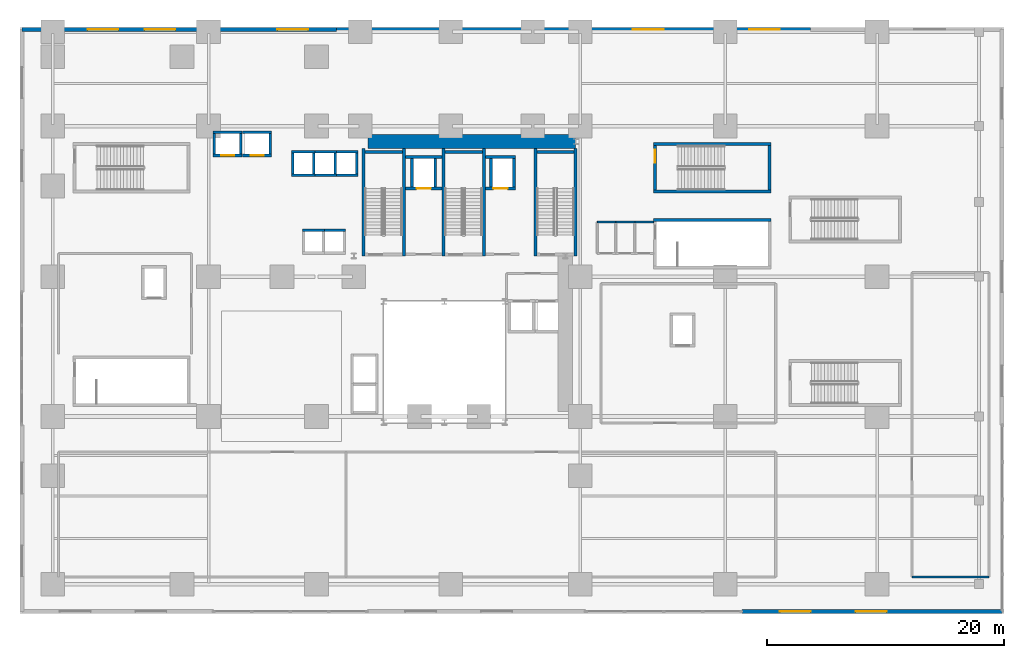
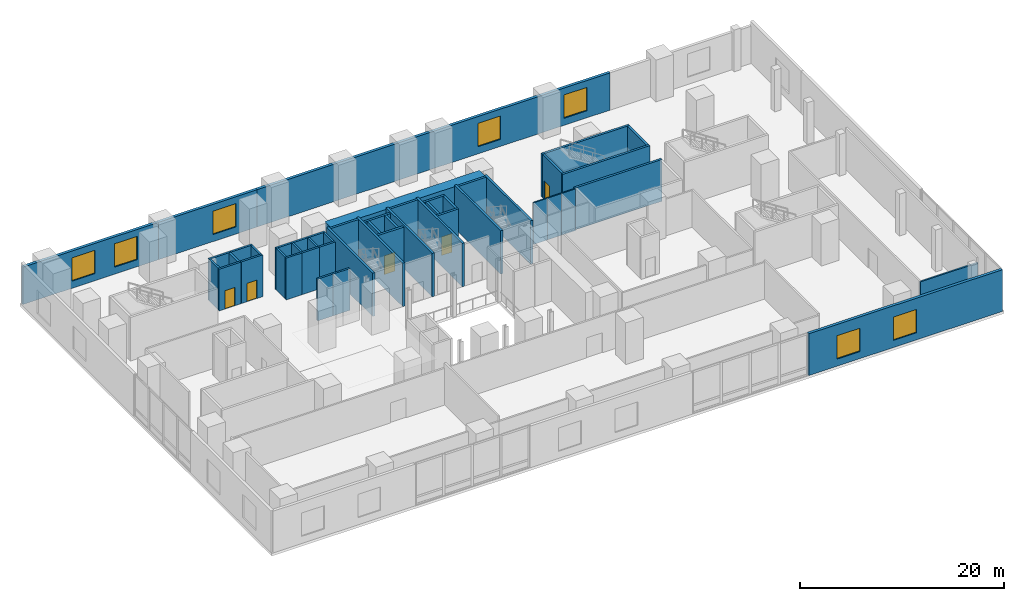
# One storey, part 10 of 15: 50 walls, 7 windows, 5 doors, 12 openings.
"""IFC4 building model written with IfcOpenShell, lengths in metres."""

from ifc_helpers import new_model, si_unit, direction, frame, frame_2d, origin, place, context, subcontext, project, spatial, rectangle, extrude, source, transform, mapped, material, layer, layer_set, type_object, element, fill, save


model = new_model("IFC4")

# Units and contexts
model_context = context("Model", 3, precision=1e-05, world=origin(), true_north=direction((0.0, 1.0)))
body_context = subcontext(model_context, "Body", "Model", "MODEL_VIEW")
ifc_project = project(units=[si_unit("LENGTHUNIT", "METRE"), si_unit("AREAUNIT", "SQUARE_METRE"), si_unit("VOLUMEUNIT", "CUBIC_METRE"), si_unit("PLANEANGLEUNIT", "RADIAN"), si_unit("MASSUNIT", "GRAM", prefix="KILO")], contexts=[model_context])

# Site, building, storey
site_placement = place(None, origin())
site = spatial("IfcSite", under=ifc_project, at=site_placement, CompositionType="ELEMENT")
building_placement = place(site_placement, origin())
building = spatial("IfcBuilding", under=site, at=building_placement, Name="Vardaveli Station Tower", CompositionType="ELEMENT")
storey_placement = place(building_placement, frame((0.0, 0.0, 6.0)))
storey = spatial("IfcBuildingStorey", under=building, at=storey_placement, Name="L02", CompositionType="ELEMENT", Elevation=6.0)

# Wall
ifc_material_1 = material(Name="Concrete C70/85", Category="concrete")
ifc_layer_1 = layer(ifc_material_1, 1.199951171875, Name="Concrete C70/85")
ifc_layer_set_1 = layer_set([ifc_layer_1], Name="Concrete C70/85")
wall_type_1 = type_object("IfcWallType", Name="WAL-CORE-1200", PredefinedType="SHEAR", material=ifc_layer_set_1)
shared_shape_1 = source(origin(), body_context, "Body", "SweptSolid", [
    extrude(rectangle(XDim=17.52001953125, YDim=1.199951171875, at=frame_2d((8.760009765625, 0.0))), origin(), (0.0, 0.0, 1.0), 5.0),
])
wall_1_placement = place(storey_placement, frame((29.85009765625, 40.300048828125, 0.0), z_axis=(0.0, 0.0, 1.0), x_axis=(1.0, 0.0, 0.0)))
element("IfcWall", 1, at=wall_1_placement, inside=storey, type_object=wall_type_1, Name="SW-L02-NORTH", PredefinedType="SHEAR", context=body_context, shape_type="MappedRepresentation", body=[
    mapped(shared_shape_1, transform((0.0, 0.0, 0.0), scale=1.0)),
])

# Wall, openings, windows
ifc_material_2 = material(Name="Precast concrete C45/55", Category="concrete")
ifc_layer_2 = layer(ifc_material_2, 0.320068359375, Name="Precast concrete C45/55")
ifc_layer_set_2 = layer_set([ifc_layer_2], Name="Precast concrete C45/55")
wall_type_2 = type_object("IfcWallType", Name="WAL-EXT-STONE-320", PredefinedType="SOLIDWALL", material=ifc_layer_set_2)
shared_shape_2 = source(origin(), body_context, "Body", "SweptSolid", [
    extrude(rectangle(XDim=21.9501953125, YDim=0.320068359375, at=frame_2d((10.97509765625, 0.0))), origin(), (0.0, 0.0, 1.0), 5.0),
])
wall_2_placement = place(storey_placement, frame((61.39990234375, 0.64990234375, 0.0), z_axis=(0.0, 0.0, 1.0), x_axis=(1.0, 0.0, 0.0)))
wall_2 = element("IfcWall", 2, at=wall_2_placement, inside=storey, type_object=wall_type_2, Name="EW-L02-S5", PredefinedType="SOLIDWALL", context=body_context, shape_type="MappedRepresentation", body=[
    mapped(shared_shape_2, transform((0.0, 0.0, 0.0), scale=1.0)),
])
shared_shape_3 = source(origin(), body_context, "Body", "SweptSolid", [
    extrude(rectangle(XDim=2.60009765625, YDim=2.800048828125, at=frame_2d((1.300048828125, 1.39990234375))), frame((0.0, 0.169921875, 0.0), z_axis=(0.0, -1.0, 0.0), x_axis=(1.0, 0.0, 0.0)), (0.0, 0.0, 1.0), 0.340087890625),
])
opening_1_placement = place(wall_2_placement, frame((3.199951171875, 0.0, 0.85009765625)))
opening_1 = element("IfcOpeningElement", 3, at=opening_1_placement, cuts=wall_2, Name="Opening W-02", PredefinedType="OPENING", context=body_context, shape_type="MappedRepresentation", body=[
    mapped(shared_shape_3, transform((0.0, 0.0, 0.0), scale=1.0)),
])
opening_2_placement = place(wall_2_placement, frame((9.60009765625, 0.0, 0.85009765625)))
opening_2 = element("IfcOpeningElement", 4, at=opening_2_placement, cuts=wall_2, Name="Opening W-02", PredefinedType="OPENING", context=body_context, shape_type="MappedRepresentation", body=[
    mapped(shared_shape_3, transform((0.0, 0.0, 0.0), scale=1.0)),
])
ifc_material_3 = material(Name="Low-E solar-control glass", Category="glass")
window_type = type_object("IfcWindowType", Name="WIN-POD-2600x2800", PartitioningType="SINGLE_PANEL", PredefinedType="WINDOW", material=ifc_material_3)
shared_shape_4 = source(origin(), body_context, "Body", "SweptSolid", [
    extrude(rectangle(XDim=2.60009765625, YDim=2.800048828125, at=frame_2d((1.300048828125, 1.39990234375))), frame((0.0, 0.030029296875, 0.0), z_axis=(0.0, -1.0, 0.0), x_axis=(1.0, 0.0, 0.0)), (0.0, 0.0, 1.0), 0.06005859375),
])
window_1_placement = place(opening_1_placement, origin())
window_1 = element("IfcWindow", 5, at=window_1_placement, inside=storey, type_object=window_type, Name="WN-L02-S5A", OverallHeight=2.800048828125, OverallWidth=2.60009765625, PartitioningType="SINGLE_PANEL", PredefinedType="WINDOW", context=body_context, shape_type="MappedRepresentation", body=[
    mapped(shared_shape_4, transform((0.0, 0.0, 0.0), scale=1.0)),
])
fill(opening_1, window_1)
window_2_placement = place(opening_2_placement, origin())
window_2 = element("IfcWindow", 6, at=window_2_placement, inside=storey, type_object=window_type, Name="WN-L02-S5B", OverallHeight=2.800048828125, OverallWidth=2.60009765625, PartitioningType="SINGLE_PANEL", PredefinedType="WINDOW", context=body_context, shape_type="MappedRepresentation", body=[
    mapped(shared_shape_4, transform((0.0, 0.0, 0.0), scale=1.0)),
])
fill(opening_2, window_2)

shared_shape_5 = source(origin(), body_context, "Body", "SweptSolid", [
    extrude(rectangle(XDim=15.35009765625, YDim=0.320068359375, at=frame_2d((7.675048828125, 0.0))), origin(), (0.0, 0.0, 1.0), 4.470947265625),
])
wall_3_placement = place(storey_placement, frame((16.0, 49.75, 0.0), z_axis=(0.0, 0.0, 1.0), x_axis=(-1.0, 0.0, 0.0)))
wall_3 = element("IfcWall", 7, at=wall_3_placement, inside=storey, type_object=wall_type_2, Name="EW-L02-N1", PredefinedType="SOLIDWALL", context=body_context, shape_type="MappedRepresentation", body=[
    mapped(shared_shape_5, transform((0.0, 0.0, 0.0), scale=1.0)),
])
opening_3_placement = place(wall_3_placement, frame((2.39990234375, 0.0, 0.85009765625)))
opening_3 = element("IfcOpeningElement", 8, at=opening_3_placement, cuts=wall_3, Name="Opening W-02", PredefinedType="OPENING", context=body_context, shape_type="MappedRepresentation", body=[
    mapped(shared_shape_3, transform((0.0, 0.0, 0.0), scale=1.0)),
])
opening_4_placement = place(wall_3_placement, frame((7.199951171875, 0.0, 0.85009765625)))
opening_4 = element("IfcOpeningElement", 9, at=opening_4_placement, cuts=wall_3, Name="Opening W-02", PredefinedType="OPENING", context=body_context, shape_type="MappedRepresentation", body=[
    mapped(shared_shape_3, transform((0.0, 0.0, 0.0), scale=1.0)),
])
window_3_placement = place(opening_3_placement, origin())
window_3 = element("IfcWindow", 10, at=window_3_placement, inside=storey, type_object=window_type, Name="WN-L02-N1A", OverallHeight=2.800048828125, OverallWidth=2.60009765625, PartitioningType="SINGLE_PANEL", PredefinedType="WINDOW", context=body_context, shape_type="MappedRepresentation", body=[
    mapped(shared_shape_4, transform((0.0, 0.0, 0.0), scale=1.0)),
])
fill(opening_3, window_3)
window_4_placement = place(opening_4_placement, origin())
window_4 = element("IfcWindow", 11, at=window_4_placement, inside=storey, type_object=window_type, Name="WN-L02-N1B", OverallHeight=2.800048828125, OverallWidth=2.60009765625, PartitioningType="SINGLE_PANEL", PredefinedType="WINDOW", context=body_context, shape_type="MappedRepresentation", body=[
    mapped(shared_shape_4, transform((0.0, 0.0, 0.0), scale=1.0)),
])
fill(opening_4, window_4)

# Wall, opening, window
shared_shape_6 = source(origin(), body_context, "Body", "SweptSolid", [
    extrude(rectangle(XDim=11.199951171875, YDim=0.320068359375, at=frame_2d((5.60009765625, 0.0))), origin(), (0.0, 0.0, 1.0), 4.470947265625),
])
wall_4_placement = place(storey_placement, frame((27.199951171875, 49.75, 0.0), z_axis=(0.0, 0.0, 1.0), x_axis=(-1.0, 0.0, 0.0)))
wall_4 = element("IfcWall", 12, at=wall_4_placement, inside=storey, type_object=wall_type_2, Name="EW-L02-N2", PredefinedType="SOLIDWALL", context=body_context, shape_type="MappedRepresentation", body=[
    mapped(shared_shape_6, transform((0.0, 0.0, 0.0), scale=1.0)),
])
opening_5_placement = place(wall_4_placement, frame((2.39990234375, 0.0, 0.85009765625)))
opening_5 = element("IfcOpeningElement", 13, at=opening_5_placement, cuts=wall_4, Name="Opening W-02", PredefinedType="OPENING", context=body_context, shape_type="MappedRepresentation", body=[
    mapped(shared_shape_3, transform((0.0, 0.0, 0.0), scale=1.0)),
])
window_5_placement = place(opening_5_placement, origin())
window_5 = element("IfcWindow", 14, at=window_5_placement, inside=storey, type_object=window_type, Name="WN-L02-N2A", OverallHeight=2.800048828125, OverallWidth=2.60009765625, PartitioningType="SINGLE_PANEL", PredefinedType="WINDOW", context=body_context, shape_type="MappedRepresentation", body=[
    mapped(shared_shape_4, transform((0.0, 0.0, 0.0), scale=1.0)),
])
fill(opening_5, window_5)

# Wall, openings, windows
shared_shape_7 = source(origin(), body_context, "Body", "SweptSolid", [
    extrude(rectangle(XDim=40.0, YDim=0.320068359375, at=frame_2d((20.0, 0.0))), origin(), (0.0, 0.0, 1.0), 4.470947265625),
])
wall_5_placement = place(storey_placement, frame((67.199951171875, 49.75, 0.0), z_axis=(0.0, 0.0, 1.0), x_axis=(-1.0, 0.0, 0.0)))
wall_5 = element("IfcWall", 15, at=wall_5_placement, inside=storey, type_object=wall_type_2, Name="EW-L02-N3", PredefinedType="SOLIDWALL", context=body_context, shape_type="MappedRepresentation", body=[
    mapped(shared_shape_7, transform((0.0, 0.0, 0.0), scale=1.0)),
])
opening_6_placement = place(wall_5_placement, frame((2.60009765625, 0.0, 0.85009765625)))
opening_6 = element("IfcOpeningElement", 16, at=opening_6_placement, cuts=wall_5, Name="Opening W-02", PredefinedType="OPENING", context=body_context, shape_type="MappedRepresentation", body=[
    mapped(shared_shape_3, transform((0.0, 0.0, 0.0), scale=1.0)),
])
opening_7_placement = place(wall_5_placement, frame((12.39990234375, 0.0, 0.85009765625)))
opening_7 = element("IfcOpeningElement", 17, at=opening_7_placement, cuts=wall_5, Name="Opening W-02", PredefinedType="OPENING", context=body_context, shape_type="MappedRepresentation", body=[
    mapped(shared_shape_3, transform((0.0, 0.0, 0.0), scale=1.0)),
])
window_6_placement = place(opening_6_placement, origin())
window_6 = element("IfcWindow", 18, at=window_6_placement, inside=storey, type_object=window_type, Name="WN-L02-N3A", OverallHeight=2.800048828125, OverallWidth=2.60009765625, PartitioningType="SINGLE_PANEL", PredefinedType="WINDOW", context=body_context, shape_type="MappedRepresentation", body=[
    mapped(shared_shape_4, transform((0.0, 0.0, 0.0), scale=1.0)),
])
fill(opening_6, window_6)
window_7_placement = place(opening_7_placement, origin())
window_7 = element("IfcWindow", 19, at=window_7_placement, inside=storey, type_object=window_type, Name="WN-L02-N3B", OverallHeight=2.800048828125, OverallWidth=2.60009765625, PartitioningType="SINGLE_PANEL", PredefinedType="WINDOW", context=body_context, shape_type="MappedRepresentation", body=[
    mapped(shared_shape_4, transform((0.0, 0.0, 0.0), scale=1.0)),
])
fill(opening_7, window_7)

# Walls
ifc_material_4 = material(Name="Concrete C40/50", Category="concrete")
ifc_layer_3 = layer(ifc_material_4, 0.25, Name="Concrete C40/50")
ifc_layer_set_3 = layer_set([ifc_layer_3], Name="Concrete C40/50")
wall_type_3 = type_object("IfcWallType", Name="WAL-SHAFT-250", PredefinedType="SOLIDWALL", material=ifc_layer_set_3)
shared_shape_8 = source(origin(), body_context, "Body", "SweptSolid", [
    extrude(rectangle(XDim=9.050048828125, YDim=0.25, at=frame_2d((4.52490234375, 0.0))), origin(), (0.0, 0.0, 1.0), 5.199951171875),
])
for number, where, z_axis, x_axis, name in (
    (20, (29.47509765625, 30.64990234375, 0.0), (0.0, 0.0, 1.0), (0.0, 1.0, 0.0), "W-L02-ST-1W"),
    (21, (32.875, 30.64990234375, 0.0), (0.0, 0.0, 1.0), (0.0, 1.0, 0.0), "W-L02-ST-1E"),
    (22, (36.22509765625, 30.64990234375, 0.0), (0.0, 0.0, 1.0), (0.0, 1.0, 0.0), "W-L02-ST-2W"),
    (23, (39.625, 30.64990234375, 0.0), (0.0, 0.0, 1.0), (0.0, 1.0, 0.0), "W-L02-ST-2E"),
    (24, (43.97509765625, 30.64990234375, 0.0), (0.0, 0.0, 1.0), (0.0, 1.0, 0.0), "W-L02-ST-3W"),
    (25, (47.375, 30.64990234375, 0.0), (0.0, 0.0, 1.0), (0.0, 1.0, 0.0), "W-L02-ST-3E"),
):
    element("IfcWall", number, at=place(storey_placement, frame(where, z_axis=z_axis, x_axis=x_axis)), inside=storey, type_object=wall_type_3, Name=name, PredefinedType="SOLIDWALL", context=body_context, shape_type="MappedRepresentation", body=[
        mapped(shared_shape_8, transform((0.0, 0.0, 0.0), scale=1.0)),
    ])
shared_shape_9 = source(origin(), body_context, "Body", "SweptSolid", [
    extrude(rectangle(XDim=3.14990234375, YDim=0.25, at=frame_2d((1.574951171875, 0.0))), origin(), (0.0, 0.0, 1.0), 5.199951171875),
])
for number, where, z_axis, x_axis, name in (
    (26, (29.60009765625, 39.425048828125, 0.0), (0.0, 0.0, 1.0), (1.0, 0.0, 0.0), "W-L02-ST-1N"),
    (27, (36.35009765625, 39.425048828125, 0.0), (0.0, 0.0, 1.0), (1.0, 0.0, 0.0), "W-L02-ST-2N"),
    (28, (44.10009765625, 39.425048828125, 0.0), (0.0, 0.0, 1.0), (1.0, 0.0, 0.0), "W-L02-ST-3N"),
):
    element("IfcWall", number, at=place(storey_placement, frame(where, z_axis=z_axis, x_axis=x_axis)), inside=storey, type_object=wall_type_3, Name=name, PredefinedType="SOLIDWALL", context=body_context, shape_type="MappedRepresentation", body=[
        mapped(shared_shape_9, transform((0.0, 0.0, 0.0), scale=1.0)),
    ])
shared_shape_10 = source(origin(), body_context, "Body", "SweptSolid", [
    extrude(rectangle(XDim=9.900146484375, YDim=0.25, at=frame_2d((4.9501953125, 0.0))), origin(), (0.0, 0.0, 1.0), 5.199951171875),
])
for number, where, z_axis, x_axis, name in (
    (29, (53.949951171875, 36.074951171875, 0.0), (0.0, 0.0, 1.0), (1.0, 0.0, 0.0), "W-L02-ST-P2S"),
    (30, (53.949951171875, 40.074951171875, 0.0), (0.0, 0.0, 1.0), (1.0, 0.0, 0.0), "W-L02-ST-P2N"),
):
    element("IfcWall", number, at=place(storey_placement, frame(where, z_axis=z_axis, x_axis=x_axis)), inside=storey, type_object=wall_type_3, Name=name, PredefinedType="SOLIDWALL", context=body_context, shape_type="MappedRepresentation", body=[
        mapped(shared_shape_10, transform((0.0, 0.0, 0.0), scale=1.0)),
    ])
shared_shape_11 = source(origin(), body_context, "Body", "SweptSolid", [
    extrude(rectangle(XDim=3.75, YDim=0.25, at=frame_2d((1.875, 0.0))), origin(), (0.0, 0.0, 1.0), 5.199951171875),
])
wall_6_placement = place(storey_placement, frame((63.72509765625, 36.199951171875, 0.0), z_axis=(0.0, 0.0, 1.0), x_axis=(0.0, 1.0, 0.0)))
element("IfcWall", 31, at=wall_6_placement, inside=storey, type_object=wall_type_3, Name="W-L02-ST-P2E", PredefinedType="SOLIDWALL", context=body_context, shape_type="MappedRepresentation", body=[
    mapped(shared_shape_11, transform((0.0, 0.0, 0.0), scale=1.0)),
])

# Wall, opening, door
wall_7_placement = place(storey_placement, frame((54.074951171875, 36.199951171875, 0.0), z_axis=(0.0, 0.0, 1.0), x_axis=(0.0, 1.0, 0.0)))
wall_7 = element("IfcWall", 32, at=wall_7_placement, inside=storey, type_object=wall_type_3, Name="W-L02-ST-P2W", PredefinedType="SOLIDWALL", context=body_context, shape_type="MappedRepresentation", body=[
    mapped(shared_shape_11, transform((0.0, 0.0, 0.0), scale=1.0)),
])
shared_shape_12 = source(origin(), body_context, "Body", "SweptSolid", [
    extrude(rectangle(XDim=1.10009765625, YDim=2.199951171875, at=frame_2d((0.550048828125, 1.10009765625))), frame((0.0, 0.135009765625, 0.0), z_axis=(0.0, -1.0, 0.0), x_axis=(1.0, 0.0, 0.0)), (0.0, 0.0, 1.0), 0.27001953125),
])
opening_8_placement = place(wall_7_placement, frame((2.300048828125, 0.0, 0.0)))
opening_8 = element("IfcOpeningElement", 33, at=opening_8_placement, cuts=wall_7, Name="Opening D-04", PredefinedType="OPENING", context=body_context, shape_type="MappedRepresentation", body=[
    mapped(shared_shape_12, transform((0.0, 0.0, 0.0), scale=1.0)),
])
ifc_material_5 = material(Name="Steel smokeproof fire doorset", Category="steel")
door_type_1 = type_object("IfcDoorType", Name="DR-ST-1100x2200", OperationType="NOTDEFINED", PredefinedType="DOOR", material=ifc_material_5)
shared_shape_13 = source(origin(), body_context, "Body", "SweptSolid", [
    extrude(rectangle(XDim=1.10009765625, YDim=2.199951171875, at=frame_2d((0.550048828125, 1.10009765625))), frame((0.0, 0.02490234375, 0.0), z_axis=(0.0, -1.0, 0.0), x_axis=(1.0, 0.0, 0.0)), (0.0, 0.0, 1.0), 0.050048828125),
])
door_1_placement = place(opening_8_placement, origin())
door_1 = element("IfcDoor", 34, at=door_1_placement, inside=storey, type_object=door_type_1, Name="DST-P2-L02", OperationType="SINGLE_SWING_RIGHT", OverallHeight=2.199951171875, OverallWidth=1.10009765625, PredefinedType="DOOR", context=body_context, shape_type="MappedRepresentation", body=[
    mapped(shared_shape_13, transform((0.0, 0.0, 0.0), scale=1.0)),
])
fill(opening_8, door_1)

# Walls
shared_shape_14 = source(origin(), body_context, "Body", "SweptSolid", [
    extrude(rectangle(XDim=9.900146484375, YDim=0.25, at=frame_2d((4.9501953125, 0.0))), origin(), (0.0, 0.0, 1.0), 5.0),
])
wall_8_placement = place(storey_placement, frame((53.949951171875, 33.675048828125, 0.0), z_axis=(0.0, 0.0, 1.0), x_axis=(1.0, 0.0, 0.0)))
element("IfcWall", 35, at=wall_8_placement, inside=storey, type_object=wall_type_3, Name="W-L02-ST-S2N", PredefinedType="SOLIDWALL", context=body_context, shape_type="MappedRepresentation", body=[
    mapped(shared_shape_14, transform((0.0, 0.0, 0.0), scale=1.0)),
])
shared_shape_15 = source(origin(), body_context, "Body", "SweptSolid", [
    extrude(rectangle(XDim=2.400146484375, YDim=0.25, at=frame_2d((1.2001953125, 0.0))), origin(), (0.0, 0.0, 1.0), 5.0),
])
for number, where, z_axis, x_axis, name in (
    (36, (33.574951171875, 36.449951171875, 0.0), (0.0, 0.0, 1.0), (0.0, 1.0, 0.0), "SHW-FFL-01-L02-W"),
    (37, (35.52490234375, 36.449951171875, 0.0), (0.0, 0.0, 1.0), (0.0, 1.0, 0.0), "SHW-FFL-01-L02-E"),
    (38, (40.22509765625, 36.449951171875, 0.0), (0.0, 0.0, 1.0), (0.0, 1.0, 0.0), "SHW-FFL-02-L02-W"),
    (39, (42.175048828125, 36.449951171875, 0.0), (0.0, 0.0, 1.0), (0.0, 1.0, 0.0), "SHW-FFL-02-L02-E"),
):
    element("IfcWall", number, at=place(storey_placement, frame(where, z_axis=z_axis, x_axis=x_axis)), inside=storey, type_object=wall_type_3, Name=name, PredefinedType="SOLIDWALL", context=body_context, shape_type="MappedRepresentation", body=[
        mapped(shared_shape_15, transform((0.0, 0.0, 0.0), scale=1.0)),
    ])

# Wall, opening, door
ifc_layer_4 = layer(ifc_material_4, 0.219970703125, Name="Concrete C40/50")
ifc_layer_set_4 = layer_set([ifc_layer_4], Name="Concrete C40/50")
wall_type_4 = type_object("IfcWallType", Name="WAL-FFLOBBY-220", PredefinedType="SOLIDWALL", material=ifc_layer_set_4)
shared_shape_16 = source(origin(), body_context, "Body", "SweptSolid", [
    extrude(rectangle(XDim=2.43994140625, YDim=0.219970703125, at=frame_2d((1.219970703125, 0.0))), origin(), (0.0, 0.0, 1.0), 5.0),
])
wall_9_placement = place(storey_placement, frame((16.780029296875, 39.114990234375, 0.0), z_axis=(0.0, 0.0, 1.0), x_axis=(1.0, 0.0, 0.0)))
wall_9 = element("IfcWall", 40, at=wall_9_placement, inside=storey, type_object=wall_type_4, Name="SHW-POD-01-L02-S", PredefinedType="SOLIDWALL", context=body_context, shape_type="MappedRepresentation", body=[
    mapped(shared_shape_16, transform((0.0, 0.0, 0.0), scale=1.0)),
])
shared_shape_17 = source(origin(), body_context, "Body", "SweptSolid", [
    extrude(rectangle(XDim=1.10009765625, YDim=2.199951171875, at=frame_2d((0.550048828125, 1.10009765625))), frame((0.0, 0.1201171875, 0.0), z_axis=(0.0, -1.0, 0.0), x_axis=(1.0, 0.0, 0.0)), (0.0, 0.0, 1.0), 0.239990234375),
])
opening_9_placement = place(wall_9_placement, frame((0.669921875, 0.0, 0.0)))
opening_9 = element("IfcOpeningElement", 41, at=opening_9_placement, cuts=wall_9, Name="Opening LD-01", PredefinedType="OPENING", context=body_context, shape_type="MappedRepresentation", body=[
    mapped(shared_shape_17, transform((0.0, 0.0, 0.0), scale=1.0)),
])
ifc_material_6 = material(Name="Brushed stainless steel", Category="steel")
door_type_2 = type_object("IfcDoorType", Name="DR-LD-1100x2200", OperationType="DOUBLE_DOOR_SLIDING", PredefinedType="DOOR", material=ifc_material_6)
door_2_placement = place(opening_9_placement, origin())
door_2 = element("IfcDoor", 42, at=door_2_placement, inside=storey, type_object=door_type_2, Name="LD-POD-01-L02", OperationType="DOUBLE_DOOR_SLIDING", OverallHeight=2.199951171875, OverallWidth=1.10009765625, PredefinedType="DOOR", context=body_context, shape_type="MappedRepresentation", body=[
    mapped(shared_shape_13, transform((0.0, 0.0, 0.0), scale=1.0)),
])
fill(opening_9, door_2)

# Wall
wall_10_placement = place(storey_placement, frame((16.780029296875, 41.0849609375, 0.0), z_axis=(0.0, 0.0, 1.0), x_axis=(1.0, 0.0, 0.0)))
element("IfcWall", 43, at=wall_10_placement, inside=storey, type_object=wall_type_4, Name="SHW-POD-01-L02-N", PredefinedType="SOLIDWALL", context=body_context, shape_type="MappedRepresentation", body=[
    mapped(shared_shape_16, transform((0.0, 0.0, 0.0), scale=1.0)),
])

# Wall, opening, door
wall_11_placement = place(storey_placement, frame((19.280029296875, 39.114990234375, 0.0), z_axis=(0.0, 0.0, 1.0), x_axis=(1.0, 0.0, 0.0)))
wall_11 = element("IfcWall", 44, at=wall_11_placement, inside=storey, type_object=wall_type_4, Name="SHW-POD-02-L02-S", PredefinedType="SOLIDWALL", context=body_context, shape_type="MappedRepresentation", body=[
    mapped(shared_shape_16, transform((0.0, 0.0, 0.0), scale=1.0)),
])
opening_10_placement = place(wall_11_placement, frame((0.669921875, 0.0, 0.0)))
opening_10 = element("IfcOpeningElement", 45, at=opening_10_placement, cuts=wall_11, Name="Opening LD-01", PredefinedType="OPENING", context=body_context, shape_type="MappedRepresentation", body=[
    mapped(shared_shape_17, transform((0.0, 0.0, 0.0), scale=1.0)),
])
door_3_placement = place(opening_10_placement, origin())
door_3 = element("IfcDoor", 46, at=door_3_placement, inside=storey, type_object=door_type_2, Name="LD-POD-02-L02", OperationType="DOUBLE_DOOR_SLIDING", OverallHeight=2.199951171875, OverallWidth=1.10009765625, PredefinedType="DOOR", context=body_context, shape_type="MappedRepresentation", body=[
    mapped(shared_shape_13, transform((0.0, 0.0, 0.0), scale=1.0)),
])
fill(opening_10, door_3)

# Walls
wall_12_placement = place(storey_placement, frame((19.280029296875, 41.0849609375, 0.0), z_axis=(0.0, 0.0, 1.0), x_axis=(1.0, 0.0, 0.0)))
element("IfcWall", 47, at=wall_12_placement, inside=storey, type_object=wall_type_4, Name="SHW-POD-02-L02-N", PredefinedType="SOLIDWALL", context=body_context, shape_type="MappedRepresentation", body=[
    mapped(shared_shape_16, transform((0.0, 0.0, 0.0), scale=1.0)),
])
shared_shape_18 = source(origin(), body_context, "Body", "SweptSolid", [
    extrude(rectangle(XDim=1.75, YDim=0.219970703125, at=frame_2d((0.875, 0.0))), origin(), (0.0, 0.0, 1.0), 5.0),
])
for number, where, z_axis, x_axis, name in (
    (48, (16.889892578125, 39.22509765625, 0.0), (0.0, 0.0, 1.0), (0.0, 1.0, 0.0), "SHW-POD-01-L02-W"),
    (49, (19.110107421875, 39.22509765625, 0.0), (0.0, 0.0, 1.0), (0.0, 1.0, 0.0), "SHW-POD-01-L02-E"),
    (50, (21.610107421875, 39.22509765625, 0.0), (0.0, 0.0, 1.0), (0.0, 1.0, 0.0), "SHW-POD-02-L02-E"),
    (51, (23.514892578125, 37.574951171875, 0.0), (0.0, 0.0, 1.0), (0.0, 1.0, 0.0), "SHW-HL1-01-L02-W"),
    (52, (25.284912109375, 37.574951171875, 0.0), (0.0, 0.0, 1.0), (0.0, 1.0, 0.0), "SHW-HL1-01-L02-E"),
    (53, (27.0849609375, 37.574951171875, 0.0), (0.0, 0.0, 1.0), (0.0, 1.0, 0.0), "SHW-HL1-02-L02-E"),
    (54, (28.885009765625, 37.574951171875, 0.0), (0.0, 0.0, 1.0), (0.0, 1.0, 0.0), "SHW-HL1-03-L02-E"),
):
    element("IfcWall", number, at=place(storey_placement, frame(where, z_axis=z_axis, x_axis=x_axis)), inside=storey, type_object=wall_type_4, Name=name, PredefinedType="SOLIDWALL", context=body_context, shape_type="MappedRepresentation", body=[
        mapped(shared_shape_18, transform((0.0, 0.0, 0.0), scale=1.0)),
    ])
shared_shape_19 = source(origin(), body_context, "Body", "SweptSolid", [
    extrude(rectangle(XDim=1.989990234375, YDim=0.219970703125, at=frame_2d((0.9951171875, 0.0))), origin(), (0.0, 0.0, 1.0), 5.0),
])
for number, where, z_axis, x_axis, name in (
    (55, (23.405029296875, 37.465087890625, 0.0), (0.0, 0.0, 1.0), (1.0, 0.0, 0.0), "SHW-HL1-01-L02-S"),
    (56, (23.405029296875, 39.43505859375, 0.0), (0.0, 0.0, 1.0), (1.0, 0.0, 0.0), "SHW-HL1-01-L02-N"),
    (57, (25.205078125, 37.465087890625, 0.0), (0.0, 0.0, 1.0), (1.0, 0.0, 0.0), "SHW-HL1-02-L02-S"),
    (58, (25.205078125, 39.43505859375, 0.0), (0.0, 0.0, 1.0), (1.0, 0.0, 0.0), "SHW-HL1-02-L02-N"),
):
    element("IfcWall", number, at=place(storey_placement, frame(where, z_axis=z_axis, x_axis=x_axis)), inside=storey, type_object=wall_type_4, Name=name, PredefinedType="SOLIDWALL", context=body_context, shape_type="MappedRepresentation", body=[
        mapped(shared_shape_19, transform((0.0, 0.0, 0.0), scale=1.0)),
    ])
shared_shape_20 = source(origin(), body_context, "Body", "SweptSolid", [
    extrude(rectangle(XDim=1.990234375, YDim=0.219970703125, at=frame_2d((0.9951171875, 0.0))), origin(), (0.0, 0.0, 1.0), 5.0),
])
for number, where, z_axis, x_axis, name in (
    (59, (27.0048828125, 37.465087890625, 0.0), (0.0, 0.0, 1.0), (1.0, 0.0, 0.0), "SHW-HL1-03-L02-S"),
    (60, (27.0048828125, 39.43505859375, 0.0), (0.0, 0.0, 1.0), (1.0, 0.0, 0.0), "SHW-HL1-03-L02-N"),
):
    element("IfcWall", number, at=place(storey_placement, frame(where, z_axis=z_axis, x_axis=x_axis)), inside=storey, type_object=wall_type_4, Name=name, PredefinedType="SOLIDWALL", context=body_context, shape_type="MappedRepresentation", body=[
        mapped(shared_shape_20, transform((0.0, 0.0, 0.0), scale=1.0)),
    ])

# Wall, opening, door
shared_shape_21 = source(origin(), body_context, "Body", "SweptSolid", [
    extrude(rectangle(XDim=3.10009765625, YDim=0.25, at=frame_2d((1.550048828125, 0.0))), origin(), (0.0, 0.0, 1.0), 5.0),
])
wall_13_placement = place(storey_placement, frame((33.0, 36.324951171875, 0.0), z_axis=(0.0, 0.0, 1.0), x_axis=(1.0, 0.0, 0.0)))
wall_13 = element("IfcWall", 61, at=wall_13_placement, inside=storey, type_object=wall_type_3, Name="SHW-FFL-01-L02-S", PredefinedType="SOLIDWALL", context=body_context, shape_type="MappedRepresentation", body=[
    mapped(shared_shape_21, transform((0.0, 0.0, 0.0), scale=1.0)),
])
shared_shape_22 = source(origin(), body_context, "Body", "SweptSolid", [
    extrude(rectangle(XDim=1.199951171875, YDim=2.25, at=frame_2d((0.60009765625, 1.125))), frame((0.0, 0.135009765625, 0.0), z_axis=(0.0, -1.0, 0.0), x_axis=(1.0, 0.0, 0.0)), (0.0, 0.0, 1.0), 0.27001953125),
])
opening_11_placement = place(wall_13_placement, frame((0.949951171875, 0.0, 0.0)))
opening_11 = element("IfcOpeningElement", 62, at=opening_11_placement, cuts=wall_13, Name="Opening LD-02", PredefinedType="OPENING", context=body_context, shape_type="MappedRepresentation", body=[
    mapped(shared_shape_22, transform((0.0, 0.0, 0.0), scale=1.0)),
])
door_type_3 = type_object("IfcDoorType", Name="DR-LD-1200x2250", OperationType="DOUBLE_DOOR_SLIDING", PredefinedType="DOOR", material=ifc_material_6)
shared_shape_23 = source(origin(), body_context, "Body", "SweptSolid", [
    extrude(rectangle(XDim=1.199951171875, YDim=2.25, at=frame_2d((0.60009765625, 1.125))), frame((0.0, 0.02490234375, 0.0), z_axis=(0.0, -1.0, 0.0), x_axis=(1.0, 0.0, 0.0)), (0.0, 0.0, 1.0), 0.050048828125),
])
door_4_placement = place(opening_11_placement, origin())
door_4 = element("IfcDoor", 63, at=door_4_placement, inside=storey, type_object=door_type_3, Name="LD-FFL-01-L02", OperationType="DOUBLE_DOOR_SLIDING", OverallHeight=2.25, OverallWidth=1.199951171875, PredefinedType="DOOR", context=body_context, shape_type="MappedRepresentation", body=[
    mapped(shared_shape_23, transform((0.0, 0.0, 0.0), scale=1.0)),
])
fill(opening_11, door_4)

# Wall
wall_14_placement = place(storey_placement, frame((33.0, 38.97509765625, 0.0), z_axis=(0.0, 0.0, 1.0), x_axis=(1.0, 0.0, 0.0)))
element("IfcWall", 64, at=wall_14_placement, inside=storey, type_object=wall_type_3, Name="SHW-FFL-01-L02-N", PredefinedType="SOLIDWALL", context=body_context, shape_type="MappedRepresentation", body=[
    mapped(shared_shape_21, transform((0.0, 0.0, 0.0), scale=1.0)),
])

# Wall, opening, door
shared_shape_24 = source(origin(), body_context, "Body", "SweptSolid", [
    extrude(rectangle(XDim=2.550048828125, YDim=0.25, at=frame_2d((1.27490234375, 0.0))), origin(), (0.0, 0.0, 1.0), 5.0),
])
wall_15_placement = place(storey_placement, frame((39.75, 36.324951171875, 0.0), z_axis=(0.0, 0.0, 1.0), x_axis=(1.0, 0.0, 0.0)))
wall_15 = element("IfcWall", 65, at=wall_15_placement, inside=storey, type_object=wall_type_3, Name="SHW-FFL-02-L02-S", PredefinedType="SOLIDWALL", context=body_context, shape_type="MappedRepresentation", body=[
    mapped(shared_shape_24, transform((0.0, 0.0, 0.0), scale=1.0)),
])
opening_12_placement = place(wall_15_placement, frame((0.675048828125, 0.0, 0.0)))
opening_12 = element("IfcOpeningElement", 66, at=opening_12_placement, cuts=wall_15, Name="Opening LD-02", PredefinedType="OPENING", context=body_context, shape_type="MappedRepresentation", body=[
    mapped(shared_shape_22, transform((0.0, 0.0, 0.0), scale=1.0)),
])
door_5_placement = place(opening_12_placement, origin())
door_5 = element("IfcDoor", 67, at=door_5_placement, inside=storey, type_object=door_type_3, Name="LD-FFL-02-L02", OperationType="DOUBLE_DOOR_SLIDING", OverallHeight=2.25, OverallWidth=1.199951171875, PredefinedType="DOOR", context=body_context, shape_type="MappedRepresentation", body=[
    mapped(shared_shape_23, transform((0.0, 0.0, 0.0), scale=1.0)),
])
fill(opening_12, door_5)

# Walls
wall_16_placement = place(storey_placement, frame((39.75, 38.97509765625, 0.0), z_axis=(0.0, 0.0, 1.0), x_axis=(1.0, 0.0, 0.0)))
element("IfcWall", 68, at=wall_16_placement, inside=storey, type_object=wall_type_3, Name="SHW-FFL-02-L02-N", PredefinedType="SOLIDWALL", context=body_context, shape_type="MappedRepresentation", body=[
    mapped(shared_shape_24, transform((0.0, 0.0, 0.0), scale=1.0)),
])
shared_shape_25 = source(origin(), body_context, "Body", "SweptSolid", [
    extrude(rectangle(XDim=1.89013671875, YDim=0.219970703125, at=frame_2d((0.945068359375, 0.0))), origin(), (0.0, 0.0, 1.0), 5.0),
])
for number, where, z_axis, x_axis, name in (
    (69, (24.304931640625, 32.81005859375, 0.0), (0.0, 0.0, 1.0), (1.0, 0.0, 0.0), "SHW-SHU-01-L02-N"),
    (70, (26.054931640625, 32.81005859375, 0.0), (0.0, 0.0, 1.0), (1.0, 0.0, 0.0), "SHW-SHU-02-L02-N"),
):
    element("IfcWall", number, at=place(storey_placement, frame(where, z_axis=z_axis, x_axis=x_axis)), inside=storey, type_object=wall_type_4, Name=name, PredefinedType="SOLIDWALL", context=body_context, shape_type="MappedRepresentation", body=[
        mapped(shared_shape_25, transform((0.0, 0.0, 0.0), scale=1.0)),
    ])
ifc_material_7 = material(Name="Moisture-resistant stud partition")
ifc_layer_5 = layer(ifc_material_7, 0.14990234375, Name="Moisture-resistant stud partition")
ifc_layer_set_5 = layer_set([ifc_layer_5], Name="Moisture-resistant stud partition")
wall_type_5 = type_object("IfcWallType", Name="WAL-WET-150", PredefinedType="PARTITIONING", material=ifc_layer_set_5)
shared_shape_26 = source(origin(), body_context, "Body", "SweptSolid", [
    extrude(rectangle(XDim=1.587890625, YDim=0.14990234375, at=frame_2d((0.7939453125, 0.0))), origin(), (0.0, 0.0, 1.0), 5.0),
])
wall_17_placement = place(storey_placement, frame((52.360107421875, 33.5, 0.0), z_axis=(0.0, 0.0, 1.0), x_axis=(1.0, 0.0, 0.0)))
element("IfcWall", 71, at=wall_17_placement, inside=storey, type_object=wall_type_5, Name="W-L02-WCF-N", PredefinedType="PARTITIONING", context=body_context, shape_type="MappedRepresentation", body=[
    mapped(shared_shape_26, transform((0.0, 0.0, 0.0), scale=1.0)),
])
shared_shape_27 = source(origin(), body_context, "Body", "SweptSolid", [
    extrude(rectangle(XDim=1.610107421875, YDim=0.14990234375, at=frame_2d((0.80517578125, 0.0))), origin(), (0.0, 0.0, 1.0), 5.0),
])
wall_18_placement = place(storey_placement, frame((50.75, 33.5, 0.0), z_axis=(0.0, 0.0, 1.0), x_axis=(1.0, 0.0, 0.0)))
element("IfcWall", 72, at=wall_18_placement, inside=storey, type_object=wall_type_5, Name="W-L02-WCM-N", PredefinedType="PARTITIONING", context=body_context, shape_type="MappedRepresentation", body=[
    mapped(shared_shape_27, transform((0.0, 0.0, 0.0), scale=1.0)),
])
shared_shape_28 = source(origin(), body_context, "Body", "SweptSolid", [
    extrude(rectangle(XDim=1.550048828125, YDim=0.14990234375, at=frame_2d((0.77490234375, 0.0))), origin(), (0.0, 0.0, 1.0), 5.0),
])
wall_19_placement = place(storey_placement, frame((49.199951171875, 33.5, 0.0), z_axis=(0.0, 0.0, 1.0), x_axis=(1.0, 0.0, 0.0)))
element("IfcWall", 73, at=wall_19_placement, inside=storey, type_object=wall_type_5, Name="W-L02-WCA-N", PredefinedType="PARTITIONING", context=body_context, shape_type="MappedRepresentation", body=[
    mapped(shared_shape_28, transform((0.0, 0.0, 0.0), scale=1.0)),
])
ifc_material_8 = material(Name="Fire-rated gypsum stud partition")
ifc_layer_6 = layer(ifc_material_8, 0.179931640625, Name="Fire-rated gypsum stud partition")
ifc_layer_set_6 = layer_set([ifc_layer_6], Name="Fire-rated gypsum stud partition")
wall_type_6 = type_object("IfcWallType", Name="WAL-CORR-180", PredefinedType="PARTITIONING", material=ifc_layer_set_6)
shared_shape_29 = source(origin(), body_context, "Body", "SweptSolid", [
    extrude(rectangle(XDim=6.5, YDim=0.179931640625, at=frame_2d((3.25, 0.0))), origin(), (0.0, 0.0, 1.0), 4.39208984375),
])
wall_20_placement = place(storey_placement, frame((75.75, 3.550048828125, 0.0), z_axis=(0.0, 0.0, 1.0), x_axis=(1.0, 0.0, 0.0)))
element("IfcWall", 74, at=wall_20_placement, inside=storey, type_object=wall_type_6, Name="W-L02-MN5-S", PredefinedType="PARTITIONING", context=body_context, shape_type="MappedRepresentation", body=[
    mapped(shared_shape_29, transform((0.0, 0.0, 0.0), scale=1.0)),
])

save(model, "model.ifc")
